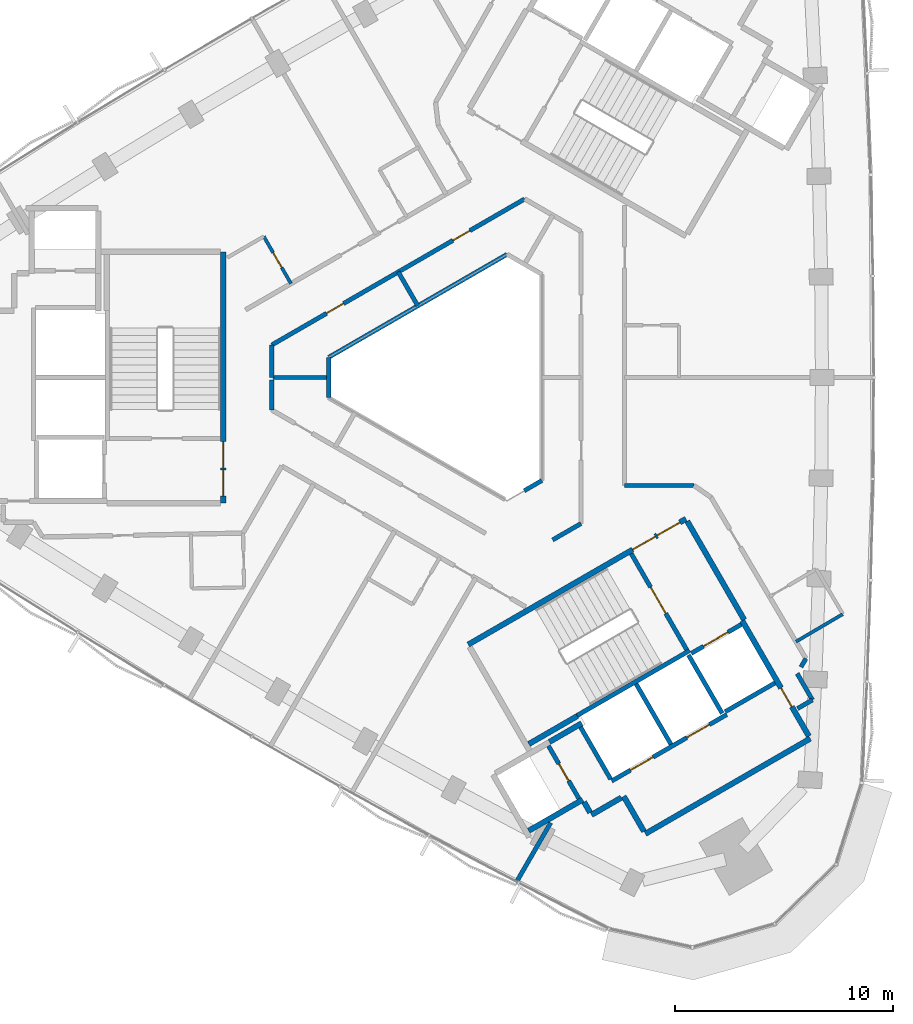
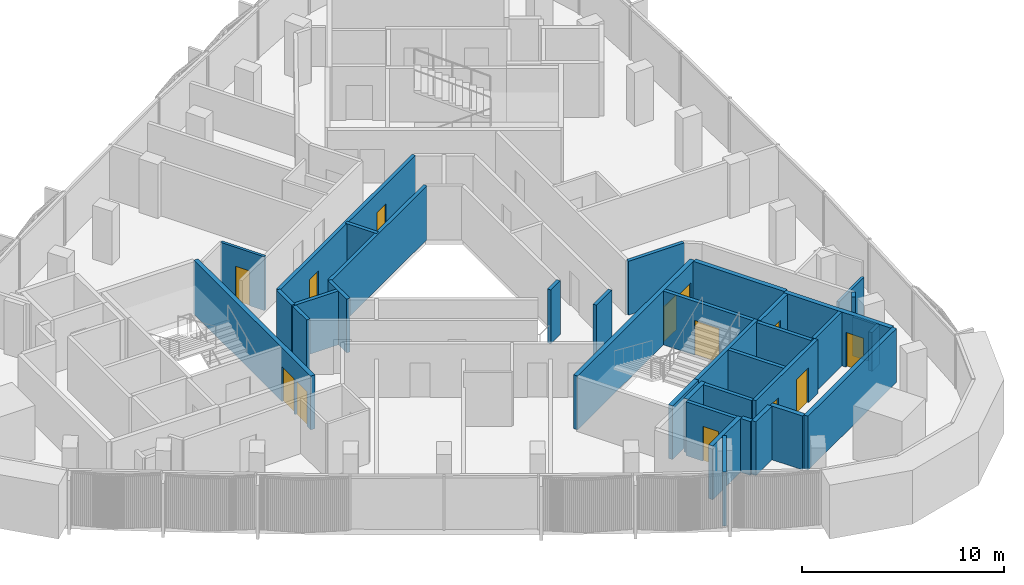
# One storey, part 9 of 16: 36 walls, 13 doors, 13 openings.
"""IFC4 building model written with IfcOpenShell, lengths in metres."""

import ifcopenshell
import ifcopenshell.guid

model = None  # the IFC model being written
_history = None  # IfcOwnerHistory: only IFC2X3 demands one
_inside = {}  # id of a spatial element -> (the spatial element, [elements in it])
_under = {}  # id of a project, library or spatial element -> (it, [spatial elements below it])
_declared = {}  # id of a project -> (the project, [libraries it declares])
_typed = {}  # id of a type object -> (the type object, [elements of that type])
_made_of = {}  # id of a material, layer set ... -> (it, [elements and type objects made of it])


def new_model(schema):
    """Start an empty IFC model of exactly this schema.

    Asked for "IFC4X3", IfcOpenShell would pick the latest addendum, in which some entities
    have other attributes; the version numbers below select the first issue.
    IFC2X3 requires an IfcOwnerHistory on every rooted entity: one is made here for all.
    """
    global model, _history
    if schema == "IFC4X3":
        model = ifcopenshell.file(schema_version=(4, 3, 0, 0))
    else:
        model = ifcopenshell.file(schema=schema)
    _inside.clear()
    _under.clear()
    _declared.clear()
    _typed.clear()
    _made_of.clear()
    _history = None
    if model.schema == "IFC2X3":
        org = make("IfcOrganization", Name="unknown")
        user = make(
            "IfcPersonAndOrganization",
            ThePerson=make("IfcPerson", FamilyName="unknown"),
            TheOrganization=org,
        )
        app = make(
            "IfcApplication",
            ApplicationDeveloper=org,
            Version="unknown",
            ApplicationFullName="unknown",
            ApplicationIdentifier="unknown",
        )
        _history = make(
            "IfcOwnerHistory",
            OwningUser=user,
            OwningApplication=app,
            ChangeAction="ADDED",
            CreationDate=0,
        )
    return model


def make(cls, **values):
    """One entity of the class cls with the attributes given. An attribute that is None is left unset."""
    return model.create_entity(
        cls, **{name: value for name, value in values.items() if value is not None}
    )


def rooted(cls, **values):
    """An entity with a GlobalId (a new one), such as an element, a storey or a relation."""
    return make(cls, GlobalId=ifcopenshell.guid.new(), OwnerHistory=_history, **values)


def si_unit(unit_type, name, prefix=None):
    """IfcSIUnit, for example si_unit("LENGTHUNIT", "METRE", prefix="MILLI")."""
    return make("IfcSIUnit", UnitType=unit_type, Prefix=prefix, Name=name)


def assignment(units):
    """IfcUnitAssignment: the units of a project."""
    return None if units is None else make("IfcUnitAssignment", Units=units)


def point(xyz):
    """IfcCartesianPoint."""
    return None if xyz is None else make("IfcCartesianPoint", Coordinates=xyz)


def direction(xyz):
    """IfcDirection."""
    return None if xyz is None else make("IfcDirection", DirectionRatios=xyz)


def frame(location, z_axis=None, x_axis=None):
    """IfcAxis2Placement3D, a coordinate frame: its origin and axes. An axis left out is left unset."""
    return make(
        "IfcAxis2Placement3D",
        Location=point(location),
        Axis=direction(z_axis),
        RefDirection=direction(x_axis),
    )


def frame_2d(location, x_axis=None):
    """IfcAxis2Placement2D, a coordinate frame in the plane: its origin and x axis."""
    return make(
        "IfcAxis2Placement2D", Location=point(location), RefDirection=direction(x_axis)
    )


def origin():
    """The frame at (0, 0, 0) with its axes left unset."""
    return frame((0.0, 0.0, 0.0))


def place(relative_to, where):
    """IfcLocalPlacement: puts the frame where relative to a parent placement (None: the world)."""
    return make(
        "IfcLocalPlacement", PlacementRelTo=relative_to, RelativePlacement=where
    )


def context(
    kind, dimensions, precision=None, world=None, true_north=None, identifier=None
):
    """IfcGeometricRepresentationContext, for example the 3D "Model" context."""
    return make(
        "IfcGeometricRepresentationContext",
        ContextIdentifier=identifier,
        ContextType=kind,
        CoordinateSpaceDimension=dimensions,
        Precision=precision,
        WorldCoordinateSystem=world,
        TrueNorth=true_north,
    )


def subcontext(parent, identifier, kind, view, scale=None):
    """IfcGeometricRepresentationSubContext, for example "Body" below "Model"."""
    return make(
        "IfcGeometricRepresentationSubContext",
        ContextIdentifier=identifier,
        ContextType=kind,
        ParentContext=parent,
        TargetScale=scale,
        TargetView=view,
    )


def project(units=None, contexts=None):
    """IfcProject with its units and contexts."""
    return rooted(
        "IfcProject",
        Name="project",
        RepresentationContexts=contexts,
        UnitsInContext=assignment(units),
    )


def spatial(cls, under=None, at=None, **own):
    """A site, building, storey or space (cls), placed at a placement, below another one or the project."""
    s = rooted(cls, ObjectPlacement=at, **own)
    if under is not None:
        _under.setdefault(under.id(), (under, []))[1].append(s)
    return s


def profile(cls, at=None, kind="AREA", **sizes):
    """A parametric profile (cls). Its sizes go by their IFC names, for example OverallWidth=200.0."""
    return make(cls, ProfileType=kind, Position=at, **sizes)


def rectangle(**sizes):
    """IfcRectangleProfileDef."""
    return profile("IfcRectangleProfileDef", **sizes)


def extrude(swept, where, along, depth):
    """IfcExtrudedAreaSolid: the profile swept, set in the frame where, extruded along a direction by depth."""
    return make(
        "IfcExtrudedAreaSolid",
        SweptArea=swept,
        Position=where,
        ExtrudedDirection=direction(along),
        Depth=depth,
    )


def shape(context_of_items, identifier, shape_type, items):
    """IfcShapeRepresentation: the items that make up one representation, for example the "Body"."""
    return make(
        "IfcShapeRepresentation",
        ContextOfItems=context_of_items,
        RepresentationIdentifier=identifier,
        RepresentationType=shape_type,
        Items=items,
    )


def material(Name=None, Category=None):
    """IfcMaterial."""
    return make("IfcMaterial", Name=Name, Category=Category)


def layer(
    of_material, thickness, ventilated=None, Name=None, Category=None, Priority=None
):
    """IfcMaterialLayer: one layer of a wall or slab, of a material (None: an air gap)."""
    return make(
        "IfcMaterialLayer",
        Material=of_material,
        LayerThickness=thickness,
        IsVentilated=ventilated,
        Name=Name,
        Category=Category,
        Priority=Priority,
    )


def layer_set(layers, Name=None):
    """IfcMaterialLayerSet."""
    return make("IfcMaterialLayerSet", MaterialLayers=layers, LayerSetName=Name)


def made_of(thing, what):
    """Note that an element or type object is made of a material, layer set ...; save() writes the relation."""
    if what is not None:
        _made_of.setdefault(what.id(), (what, []))[1].append(thing)
    return thing


def type_object(cls, material=None, **own):
    """A type object (cls), such as IfcWallType, which elements share."""
    return made_of(rooted(cls, **own), material)


def element(
    cls,
    number,
    at=None,
    inside=None,
    cuts=None,
    type_object=None,
    material=None,
    context=None,
    identifier="Body",
    shape_type=None,
    held_by="IfcProductDefinitionShape",
    body=None,
    shapes=None,
    **own,
):
    """One element of the class cls, such as IfcWall. Its Tag is "e" and its number.

    at: its placement. inside: the storey or other place that contains it. cuts: it is an
    opening in that element (IfcRelVoidsElement). A single representation is given by context,
    identifier, shape_type and body (its items); several are given by shapes. held_by: the class
    of the entity that holds the representations. save() writes the other relations.
    """
    e = rooted(cls, Tag="e%d" % number, ObjectPlacement=at, **own)
    if body is not None:
        shapes = [shape(context, identifier, shape_type, body)]
    if shapes is not None:
        e.Representation = make(held_by, Representations=shapes)
    if inside is not None:
        _inside.setdefault(inside.id(), (inside, []))[1].append(e)
    if cuts is not None:
        rooted(
            "IfcRelVoidsElement", RelatingBuildingElement=cuts, RelatedOpeningElement=e
        )
    if type_object is not None:
        _typed.setdefault(type_object.id(), (type_object, []))[1].append(e)
    return made_of(e, material)


def fill(opening, filler):
    """IfcRelFillsElement: the door or window that sits in an opening."""
    return rooted(
        "IfcRelFillsElement",
        RelatingOpeningElement=opening,
        RelatedBuildingElement=filler,
    )


def aggregate(whole, parts):
    """IfcRelAggregates: a whole, such as a stair, and the parts it consists of."""
    return rooted("IfcRelAggregates", RelatingObject=whole, RelatedObjects=parts)


def save(model, path):
    """Write the relations noted so far, then the file.

    IfcRelAggregates (storeys below a building ...), IfcRelContainedInSpatialStructure (elements
    in a storey), IfcRelDefinesByType, IfcRelAssociatesMaterial and IfcRelDeclares: one each for
    every whole, place, type object, material and project.
    """
    for whole, parts in _under.values():
        aggregate(whole, parts)
    for where, things in _inside.values():
        rooted(
            "IfcRelContainedInSpatialStructure",
            RelatedElements=things,
            RelatingStructure=where,
        )
    for kind, things in _typed.values():
        rooted("IfcRelDefinesByType", RelatedObjects=things, RelatingType=kind)
    for what, things in _made_of.values():
        rooted("IfcRelAssociatesMaterial", RelatedObjects=things, RelatingMaterial=what)
    for by, libraries in _declared.values():
        rooted("IfcRelDeclares", RelatingContext=by, RelatedDefinitions=libraries)
    model.write(path)


model = new_model("IFC4")

# Units and contexts
model_context = context("Model", 3, precision=1e-05, world=origin(), true_north=direction((0.0, 1.0)))
body_context = subcontext(model_context, "Body", "Model", "MODEL_VIEW")
ifc_project = project(units=[si_unit("LENGTHUNIT", "METRE"), si_unit("AREAUNIT", "SQUARE_METRE"), si_unit("VOLUMEUNIT", "CUBIC_METRE"), si_unit("PLANEANGLEUNIT", "RADIAN"), si_unit("MASSUNIT", "GRAM", prefix="KILO")], contexts=[model_context])

# Site, building, storey
site_placement = place(None, origin())
site = spatial("IfcSite", under=ifc_project, at=site_placement, CompositionType="ELEMENT")
building_placement = place(site_placement, origin())
building = spatial("IfcBuilding", under=site, at=building_placement, Name="Tamra Quay Hotel Tower", CompositionType="ELEMENT")
storey_placement = place(building_placement, frame((0.0, 0.0, 239.39990234375)))
storey = spatial("IfcBuildingStorey", under=building, at=storey_placement, Name="L60", CompositionType="ELEMENT", Elevation=239.39990234375)

# Wall
ifc_material_1 = material(Name="Concrete M70", Category="concrete")
ifc_layer_1 = layer(ifc_material_1, 0.199951171875)
ifc_layer_set_1 = layer_set([ifc_layer_1], Name="Concrete M70 core wall 200")
wall_type_1 = type_object("IfcWallType", Name="Concrete M70 core wall 200", PredefinedType="SHEAR", material=ifc_layer_set_1)
wall_1_placement = place(storey_placement, frame((5.4189453125, -15.533935546875, 0.0), z_axis=(0.0, 0.0, 1.0), x_axis=(0.866029065029, 0.499993658486, 0.0)))
element("IfcWall", 1, at=wall_1_placement, inside=storey, type_object=wall_type_1, Name="CW2", PredefinedType="SHEAR", context=body_context, shape_type="SweptSolid", body=[
    extrude(rectangle(XDim=5.97412109375, YDim=0.199951171875, at=frame_2d((2.987060546875, 0.0))), origin(), (0.0, 0.0, 1.0), 3.25),
])

# Wall, openings, doors
wall_2_placement = place(storey_placement, frame((7.009765625, -18.54150390625, 0.0), z_axis=(0.0, 0.0, 1.0), x_axis=(0.866030299012, 0.499991521122, 0.0)))
wall_2 = element("IfcWall", 2, at=wall_2_placement, inside=storey, type_object=wall_type_1, Name="CW2", PredefinedType="SHEAR", context=body_context, shape_type="SweptSolid", body=[
    extrude(rectangle(XDim=6.10009765625, YDim=0.199951171875, at=frame_2d((3.050048828125, 0.0))), origin(), (0.0, 0.0, 1.0), 3.25),
])
opening_1_placement = place(wall_2_placement, frame((1.0, 0.0, 0.0)))
opening_1 = element("IfcOpeningElement", 3, at=opening_1_placement, cuts=wall_2, Name="Opening LD", PredefinedType="OPENING", context=body_context, shape_type="SweptSolid", body=[
    extrude(rectangle(XDim=1.199951171875, YDim=2.10009765625, at=frame_2d((0.60009765625, 1.050048828125))), frame((0.0, 0.10986328125, 0.0), z_axis=(0.0, -1.0, 0.0), x_axis=(1.0, 0.0, 0.0)), (0.0, 0.0, 1.0), 0.219970703125),
])
opening_2_placement = place(wall_2_placement, frame((3.982177734375, 0.0, 0.0)))
opening_2 = element("IfcOpeningElement", 4, at=opening_2_placement, cuts=wall_2, Name="Opening LD", PredefinedType="OPENING", context=body_context, shape_type="SweptSolid", body=[
    extrude(rectangle(XDim=1.199951171875, YDim=2.10009765625, at=frame_2d((0.60009765625, 1.050048828125))), frame((0.0, 0.10986328125, 0.0), z_axis=(0.0, -1.0, 0.0), x_axis=(1.0, 0.0, 0.0)), (0.0, 0.0, 1.0), 0.219970703125),
])
ifc_material_2 = material(Name="Landing door LD 1200 double door sliding")
door_type_1 = type_object("IfcDoorType", Name="Landing door LD 1200 double door sliding", OperationType="DOUBLE_DOOR_SLIDING", PredefinedType="DOOR", material=ifc_material_2)
door_1_placement = place(opening_1_placement, origin())
door_1 = element("IfcDoor", 5, at=door_1_placement, inside=storey, type_object=door_type_1, Name="LD", OperationType="DOUBLE_DOOR_SLIDING", OverallHeight=2.10009765625, OverallWidth=1.199951171875, PredefinedType="DOOR", context=body_context, shape_type="SweptSolid", body=[
    extrude(rectangle(XDim=1.199951171875, YDim=2.10009765625, at=frame_2d((0.60009765625, 1.050048828125))), frame((0.0, 0.02490234375, 0.0), z_axis=(0.0, -1.0, 0.0), x_axis=(1.0, 0.0, 0.0)), (0.0, 0.0, 1.0), 0.050048828125),
])
fill(opening_1, door_1)
door_2_placement = place(opening_2_placement, origin())
door_2 = element("IfcDoor", 6, at=door_2_placement, inside=storey, type_object=door_type_1, Name="LD", OperationType="DOUBLE_DOOR_SLIDING", OverallHeight=2.10009765625, OverallWidth=1.199951171875, PredefinedType="DOOR", context=body_context, shape_type="SweptSolid", body=[
    extrude(rectangle(XDim=1.199951171875, YDim=2.10009765625, at=frame_2d((0.60009765625, 1.050048828125))), frame((0.0, 0.02490234375, 0.0), z_axis=(0.0, -1.0, 0.0), x_axis=(1.0, 0.0, 0.0)), (0.0, 0.0, 1.0), 0.050048828125),
])
fill(opening_2, door_2)

# Wall, opening, door
wall_3_placement = place(storey_placement, frame((7.906494140625, -8.094482421875, 0.0), z_axis=(0.0, 0.0, 1.0), x_axis=(0.500027839223, -0.866009330205, 0.0)))
wall_3 = element("IfcWall", 7, at=wall_3_placement, inside=storey, type_object=wall_type_1, Name="CW2", PredefinedType="SHEAR", context=body_context, shape_type="SweptSolid", body=[
    extrude(rectangle(XDim=5.097900390625, YDim=0.199951171875, at=frame_2d((2.548828125, 0.0))), origin(), (0.0, 0.0, 1.0), 3.25),
])
opening_3_placement = place(wall_3_placement, frame((1.77392578125, 0.0, 0.0)))
opening_3 = element("IfcOpeningElement", 8, at=opening_3_placement, cuts=wall_3, Name="Opening FD2", PredefinedType="OPENING", context=body_context, shape_type="SweptSolid", body=[
    extrude(rectangle(XDim=1.39990234375, YDim=2.10009765625, at=frame_2d((0.699951171875, 1.050048828125))), frame((0.0, 0.10986328125, 0.0), z_axis=(0.0, -1.0, 0.0), x_axis=(1.0, 0.0, 0.0)), (0.0, 0.0, 1.0), 0.219970703125),
])
ifc_material_3 = material(Name="Core door FD2 1400x2100 RH")
door_type_2 = type_object("IfcDoorType", Name="Core door FD2 1400x2100 RH", OperationType="NOTDEFINED", PredefinedType="DOOR", material=ifc_material_3)
door_3_placement = place(opening_3_placement, origin())
door_3 = element("IfcDoor", 9, at=door_3_placement, inside=storey, type_object=door_type_2, Name="FD2", OperationType="SINGLE_SWING_RIGHT", OverallHeight=2.10009765625, OverallWidth=1.39990234375, PredefinedType="DOOR", context=body_context, shape_type="SweptSolid", body=[
    extrude(rectangle(XDim=1.39990234375, YDim=2.10009765625, at=frame_2d((0.699951171875, 1.050048828125))), frame((0.0, 0.02490234375, 0.0), z_axis=(0.0, -1.0, 0.0), x_axis=(1.0, 0.0, 0.0)), (0.0, 0.0, 1.0), 0.050048828125),
])
fill(opening_3, door_3)

# Wall
wall_4_placement = place(storey_placement, frame((8.131591796875, -14.084228515625, 0.0), z_axis=(0.0, 0.0, 1.0), x_axis=(0.499997778408, -0.866026686418, 0.0)))
element("IfcWall", 10, at=wall_4_placement, inside=storey, type_object=wall_type_1, Name="CW2", PredefinedType="SHEAR", context=body_context, shape_type="SweptSolid", body=[
    extrude(rectangle(XDim=3.1982421875, YDim=0.199951171875, at=frame_2d((1.59912109375, 0.0))), origin(), (0.0, 0.0, 1.0), 3.25),
])

# Wall, opening, door
wall_5_placement = place(storey_placement, frame((5.50341796875, -19.352294921875, 0.0), z_axis=(0.0, 0.0, 1.0), x_axis=(-0.499986818241, 0.866033014143, 0.0)))
wall_5 = element("IfcWall", 11, at=wall_5_placement, inside=storey, type_object=wall_type_1, Name="CW2", PredefinedType="SHEAR", context=body_context, shape_type="SweptSolid", body=[
    extrude(rectangle(XDim=2.7978515625, YDim=0.199951171875, at=frame_2d((1.39892578125, 0.0))), origin(), (0.0, 0.0, 1.0), 3.25),
])
opening_4_placement = place(wall_5_placement, frame((0.948974609375, 0.0, 0.0)))
opening_4 = element("IfcOpeningElement", 12, at=opening_4_placement, cuts=wall_5, Name="Opening D1", PredefinedType="OPENING", context=body_context, shape_type="SweptSolid", body=[
    extrude(rectangle(XDim=0.89990234375, YDim=2.10009765625, at=frame_2d((0.449951171875, 1.050048828125))), frame((0.0, 0.10986328125, 0.0), z_axis=(0.0, -1.0, 0.0), x_axis=(1.0, 0.0, 0.0)), (0.0, 0.0, 1.0), 0.219970703125),
])
ifc_material_4 = material(Name="Core door D1 900x2100 LH")
door_type_3 = type_object("IfcDoorType", Name="Core door D1 900x2100 LH", OperationType="NOTDEFINED", PredefinedType="DOOR", material=ifc_material_4)
door_4_placement = place(opening_4_placement, origin())
door_4 = element("IfcDoor", 13, at=door_4_placement, inside=storey, type_object=door_type_3, Name="D1", OperationType="SINGLE_SWING_LEFT", OverallHeight=2.10009765625, OverallWidth=0.89990234375, PredefinedType="DOOR", context=body_context, shape_type="SweptSolid", body=[
    extrude(rectangle(XDim=0.89990234375, YDim=2.10009765625, at=frame_2d((0.449951171875, 1.050048828125))), frame((0.0, 0.02490234375, 0.0), z_axis=(0.0, -1.0, 0.0), x_axis=(1.0, 0.0, 0.0)), (0.0, 0.0, 1.0), 0.050048828125),
])
fill(opening_4, door_4)

# Walls
wall_6_placement = place(storey_placement, frame((6.959716796875, -18.455078125, 0.0), z_axis=(0.0, 0.0, 1.0), x_axis=(-0.499926705758, 0.866067716099, 0.0)))
element("IfcWall", 14, at=wall_6_placement, inside=storey, type_object=wall_type_1, Name="CW2", PredefinedType="SHEAR", context=body_context, shape_type="SweptSolid", body=[
    extrude(rectangle(XDim=2.75927734375, YDim=0.199951171875, at=frame_2d((1.379638671875, 0.0))), origin(), (0.0, 0.0, 1.0), 3.25),
])
wall_7_placement = place(storey_placement, frame((12.087646484375, -15.4365234375, 0.0), z_axis=(0.0, 0.0, 1.0), x_axis=(-0.500026960575, 0.86600983753, 0.0)))
element("IfcWall", 15, at=wall_7_placement, inside=storey, type_object=wall_type_1, Name="CW2", PredefinedType="SHEAR", context=body_context, shape_type="SweptSolid", body=[
    extrude(rectangle(XDim=3.099853515625, YDim=0.199951171875, at=frame_2d((1.5498046875, 0.0))), origin(), (0.0, 0.0, 1.0), 3.25),
])

# Wall, opening, door
wall_8_placement = place(storey_placement, frame((10.666015625, -12.677734375, 0.0), z_axis=(0.0, 0.0, 1.0), x_axis=(0.866018407898, 0.500012117035, 0.0)))
wall_8 = element("IfcWall", 16, at=wall_8_placement, inside=storey, type_object=wall_type_1, Name="CW2", PredefinedType="SHEAR", context=body_context, shape_type="SweptSolid", body=[
    extrude(rectangle(XDim=2.65087890625, YDim=0.199951171875, at=frame_2d((1.325439453125, 0.0))), origin(), (0.0, 0.0, 1.0), 3.25),
])
opening_5_placement = place(wall_8_placement, frame((0.65185546875, 0.0, 0.0)))
opening_5 = element("IfcOpeningElement", 17, at=opening_5_placement, cuts=wall_8, Name="Opening LD", PredefinedType="OPENING", context=body_context, shape_type="SweptSolid", body=[
    extrude(rectangle(XDim=1.300048828125, YDim=2.10009765625, at=frame_2d((0.64990234375, 1.050048828125))), frame((0.0, 0.10986328125, 0.0), z_axis=(0.0, -1.0, 0.0), x_axis=(1.0, 0.0, 0.0)), (0.0, 0.0, 1.0), 0.219970703125),
])
ifc_material_5 = material(Name="Landing door LD 1300 sliding to right")
door_type_4 = type_object("IfcDoorType", Name="Landing door LD 1300 sliding to right", OperationType="NOTDEFINED", PredefinedType="DOOR", material=ifc_material_5)
door_5_placement = place(opening_5_placement, origin())
door_5 = element("IfcDoor", 18, at=door_5_placement, inside=storey, type_object=door_type_4, Name="LD", OperationType="SLIDING_TO_RIGHT", OverallHeight=2.10009765625, OverallWidth=1.300048828125, PredefinedType="DOOR", context=body_context, shape_type="SweptSolid", body=[
    extrude(rectangle(XDim=1.300048828125, YDim=2.10009765625, at=frame_2d((0.64990234375, 1.050048828125))), frame((0.0, 0.02490234375, 0.0), z_axis=(0.0, -1.0, 0.0), x_axis=(1.0, 0.0, 0.0)), (0.0, 0.0, 1.0), 0.050048828125),
])
fill(opening_5, door_5)

# Wall
wall_9_placement = place(storey_placement, frame((14.51171875, -14.037109375, 0.0), z_axis=(0.0, 0.0, 1.0), x_axis=(-0.866018407898, -0.500012117035, 0.0)))
element("IfcWall", 19, at=wall_9_placement, inside=storey, type_object=wall_type_1, Name="CW2", PredefinedType="SHEAR", context=body_context, shape_type="SweptSolid", body=[
    extrude(rectangle(XDim=2.65087890625, YDim=0.199951171875, at=frame_2d((1.325439453125, 0.0))), origin(), (0.0, 0.0, 1.0), 3.25),
])

# Wall, openings, doors
ifc_layer_2 = layer(ifc_material_1, 0.25)
ifc_layer_set_2 = layer_set([ifc_layer_2], Name="Concrete M70 core wall 250")
wall_type_2 = type_object("IfcWallType", Name="Concrete M70 core wall 250", PredefinedType="SHEAR", material=ifc_layer_set_2)
wall_10_placement = place(storey_placement, frame((-10.83740234375, 5.77490234375, 0.0), z_axis=(0.0, 0.0, 1.0), x_axis=(0.0, -1.0, 0.0)))
wall_10 = element("IfcWall", 20, at=wall_10_placement, inside=storey, type_object=wall_type_2, Name="CW1", PredefinedType="SHEAR", context=body_context, shape_type="SweptSolid", body=[
    extrude(rectangle(XDim=11.5498046875, YDim=0.25, at=frame_2d((5.77490234375, 0.0))), origin(), (0.0, 0.0, 1.0), 3.25),
])
opening_6_placement = place(wall_10_placement, frame((10.02490234375, 0.0, 0.0)))
opening_6 = element("IfcOpeningElement", 21, at=opening_6_placement, cuts=wall_10, Name="Opening FD1", PredefinedType="OPENING", context=body_context, shape_type="SweptSolid", body=[
    extrude(rectangle(XDim=1.199951171875, YDim=2.10009765625, at=frame_2d((0.60009765625, 1.050048828125))), frame((0.0, 0.135009765625, 0.0), z_axis=(0.0, -1.0, 0.0), x_axis=(1.0, 0.0, 0.0)), (0.0, 0.0, 1.0), 0.27001953125),
])
opening_7_placement = place(wall_10_placement, frame((8.72509765625, 0.0, 0.0)))
opening_7 = element("IfcOpeningElement", 22, at=opening_7_placement, cuts=wall_10, Name="Opening FD1", PredefinedType="OPENING", context=body_context, shape_type="SweptSolid", body=[
    extrude(rectangle(XDim=1.199951171875, YDim=2.10009765625, at=frame_2d((0.60009765625, 1.050048828125))), frame((0.0, 0.135009765625, 0.0), z_axis=(0.0, -1.0, 0.0), x_axis=(1.0, 0.0, 0.0)), (0.0, 0.0, 1.0), 0.27001953125),
])
ifc_material_6 = material(Name="Core door FD1 1200x2100 LH")
door_type_5 = type_object("IfcDoorType", Name="Core door FD1 1200x2100 LH", OperationType="NOTDEFINED", PredefinedType="DOOR", material=ifc_material_6)
door_6_placement = place(opening_6_placement, origin())
door_6 = element("IfcDoor", 23, at=door_6_placement, inside=storey, type_object=door_type_5, Name="FD1", OperationType="SINGLE_SWING_LEFT", OverallHeight=2.10009765625, OverallWidth=1.199951171875, PredefinedType="DOOR", context=body_context, shape_type="SweptSolid", body=[
    extrude(rectangle(XDim=1.199951171875, YDim=2.10009765625, at=frame_2d((0.60009765625, 1.050048828125))), frame((0.0, 0.02490234375, 0.0), z_axis=(0.0, -1.0, 0.0), x_axis=(1.0, 0.0, 0.0)), (0.0, 0.0, 1.0), 0.050048828125),
])
fill(opening_6, door_6)
ifc_material_7 = material(Name="Core door FD1 1200x2100 RH")
door_type_6 = type_object("IfcDoorType", Name="Core door FD1 1200x2100 RH", OperationType="NOTDEFINED", PredefinedType="DOOR", material=ifc_material_7)
door_7_placement = place(opening_7_placement, origin())
door_7 = element("IfcDoor", 24, at=door_7_placement, inside=storey, type_object=door_type_6, Name="FD1", OperationType="SINGLE_SWING_RIGHT", OverallHeight=2.10009765625, OverallWidth=1.199951171875, PredefinedType="DOOR", context=body_context, shape_type="SweptSolid", body=[
    extrude(rectangle(XDim=1.199951171875, YDim=2.10009765625, at=frame_2d((0.60009765625, 1.050048828125))), frame((0.0, 0.02490234375, 0.0), z_axis=(0.0, -1.0, 0.0), x_axis=(1.0, 0.0, 0.0)), (0.0, 0.0, 1.0), 0.050048828125),
])
fill(opening_7, door_7)

wall_11_placement = place(storey_placement, frame((0.417236328125, -12.27294921875, 0.0), z_axis=(0.0, 0.0, 1.0), x_axis=(0.866021906294, 0.500006057782, 0.0)))
wall_11 = element("IfcWall", 25, at=wall_11_placement, inside=storey, type_object=wall_type_2, Name="CW1", PredefinedType="SHEAR", context=body_context, shape_type="SweptSolid", body=[
    extrude(rectangle(XDim=11.550048828125, YDim=0.25, at=frame_2d((5.77490234375, 0.0))), origin(), (0.0, 0.0, 1.0), 3.25),
])
opening_8_placement = place(wall_11_placement, frame((10.024658203125, 0.0, 0.0)))
opening_8 = element("IfcOpeningElement", 26, at=opening_8_placement, cuts=wall_11, Name="Opening FD1", PredefinedType="OPENING", context=body_context, shape_type="SweptSolid", body=[
    extrude(rectangle(XDim=1.199951171875, YDim=2.10009765625, at=frame_2d((0.60009765625, 1.050048828125))), frame((0.0, 0.135009765625, 0.0), z_axis=(0.0, -1.0, 0.0), x_axis=(1.0, 0.0, 0.0)), (0.0, 0.0, 1.0), 0.27001953125),
])
opening_9_placement = place(wall_11_placement, frame((8.724609375, 0.0, 0.0)))
opening_9 = element("IfcOpeningElement", 27, at=opening_9_placement, cuts=wall_11, Name="Opening FD1", PredefinedType="OPENING", context=body_context, shape_type="SweptSolid", body=[
    extrude(rectangle(XDim=1.199951171875, YDim=2.10009765625, at=frame_2d((0.60009765625, 1.050048828125))), frame((0.0, 0.135009765625, 0.0), z_axis=(0.0, -1.0, 0.0), x_axis=(1.0, 0.0, 0.0)), (0.0, 0.0, 1.0), 0.27001953125),
])
door_8_placement = place(opening_8_placement, origin())
door_8 = element("IfcDoor", 28, at=door_8_placement, inside=storey, type_object=door_type_5, Name="FD1", OperationType="SINGLE_SWING_LEFT", OverallHeight=2.10009765625, OverallWidth=1.199951171875, PredefinedType="DOOR", context=body_context, shape_type="SweptSolid", body=[
    extrude(rectangle(XDim=1.199951171875, YDim=2.10009765625, at=frame_2d((0.60009765625, 1.050048828125))), frame((0.0, 0.02490234375, 0.0), z_axis=(0.0, -1.0, 0.0), x_axis=(1.0, 0.0, 0.0)), (0.0, 0.0, 1.0), 0.050048828125),
])
fill(opening_8, door_8)
door_9_placement = place(opening_9_placement, origin())
door_9 = element("IfcDoor", 29, at=door_9_placement, inside=storey, type_object=door_type_6, Name="FD1", OperationType="SINGLE_SWING_RIGHT", OverallHeight=2.10009765625, OverallWidth=1.199951171875, PredefinedType="DOOR", context=body_context, shape_type="SweptSolid", body=[
    extrude(rectangle(XDim=1.199951171875, YDim=2.10009765625, at=frame_2d((0.60009765625, 1.050048828125))), frame((0.0, 0.02490234375, 0.0), z_axis=(0.0, -1.0, 0.0), x_axis=(1.0, 0.0, 0.0)), (0.0, 0.0, 1.0), 0.050048828125),
])
fill(opening_9, door_9)

# Wall
wall_12_placement = place(storey_placement, frame((16.13330078125, -16.59375, 0.0), z_axis=(0.0, 0.0, 1.0), x_axis=(-0.866022959057, -0.500004234368, 0.0)))
element("IfcWall", 30, at=wall_12_placement, inside=storey, type_object=wall_type_2, Name="CW1", PredefinedType="SHEAR", context=body_context, shape_type="SweptSolid", body=[
    extrude(rectangle(XDim=8.75, YDim=0.25, at=frame_2d((4.375, 0.0))), origin(), (0.0, 0.0, 1.0), 3.25),
])

# Wall, opening, door
wall_13_placement = place(storey_placement, frame((13.00830078125, -11.18115234375, 0.0), z_axis=(0.0, 0.0, 1.0), x_axis=(0.500001955336, -0.866024274868, 0.0)))
wall_13 = element("IfcWall", 31, at=wall_13_placement, inside=storey, type_object=wall_type_2, Name="CW1", PredefinedType="SHEAR", context=body_context, shape_type="SweptSolid", body=[
    extrude(rectangle(XDim=6.12451171875, YDim=0.25, at=frame_2d((3.062255859375, 0.0))), origin(), (0.0, 0.0, 1.0), 3.25),
])
opening_10_placement = place(wall_13_placement, frame((3.562744140625, 0.0, 0.0)))
opening_10 = element("IfcOpeningElement", 32, at=opening_10_placement, cuts=wall_13, Name="Opening FD3", PredefinedType="OPENING", context=body_context, shape_type="SweptSolid", body=[
    extrude(rectangle(XDim=1.0, YDim=2.10009765625, at=frame_2d((0.5, 1.050048828125))), frame((0.0, 0.135009765625, 0.0), z_axis=(0.0, -1.0, 0.0), x_axis=(1.0, 0.0, 0.0)), (0.0, 0.0, 1.0), 0.27001953125),
])
ifc_material_8 = material(Name="Core door FD3 1000x2100 LH")
door_type_7 = type_object("IfcDoorType", Name="Core door FD3 1000x2100 LH", OperationType="NOTDEFINED", PredefinedType="DOOR", material=ifc_material_8)
door_10_placement = place(opening_10_placement, origin())
door_10 = element("IfcDoor", 33, at=door_10_placement, inside=storey, type_object=door_type_7, Name="FD3", OperationType="SINGLE_SWING_LEFT", OverallHeight=2.10009765625, OverallWidth=1.0, PredefinedType="DOOR", context=body_context, shape_type="SweptSolid", body=[
    extrude(rectangle(XDim=1.0, YDim=2.10009765625, at=frame_2d((0.5, 1.050048828125))), frame((0.0, 0.02490234375, 0.0), z_axis=(0.0, -1.0, 0.0), x_axis=(1.0, 0.0, 0.0)), (0.0, 0.0, 1.0), 0.050048828125),
])
fill(opening_10, door_10)

# Walls
wall_14_placement = place(storey_placement, frame((10.482666015625, -6.6064453125, 0.0), z_axis=(0.0, 0.0, 1.0), x_axis=(0.49999885962, -0.866026062182, 0.0)))
element("IfcWall", 34, at=wall_14_placement, inside=storey, type_object=wall_type_2, Name="CW1", PredefinedType="SHEAR", context=body_context, shape_type="SweptSolid", body=[
    extrude(rectangle(XDim=5.224609375, YDim=0.25, at=frame_2d((2.6123046875, 0.0))), origin(), (0.0, 0.0, 1.0), 3.25),
])
wall_15_placement = place(storey_placement, frame((5.6748046875, -19.39892578125, 0.0), z_axis=(0.0, 0.0, 1.0), x_axis=(-0.866026637627, -0.499997862916, 0.0)))
element("IfcWall", 35, at=wall_15_placement, inside=storey, type_object=wall_type_2, Name="CW1", PredefinedType="SHEAR", context=body_context, shape_type="SweptSolid", body=[
    extrude(rectangle(XDim=2.86474609375, YDim=0.25, at=frame_2d((1.432373046875, 0.0))), origin(), (0.0, 0.0, 1.0), 3.25),
])
wall_16_placement = place(storey_placement, frame((5.4306640625, -15.55615234375, 0.0), z_axis=(0.0, 0.0, 1.0), x_axis=(-0.866022940537, -0.500004266446, 0.0)))
element("IfcWall", 36, at=wall_16_placement, inside=storey, type_object=wall_type_2, Name="CW1", PredefinedType="SHEAR", context=body_context, shape_type="SweptSolid", body=[
    extrude(rectangle(XDim=2.57470703125, YDim=0.25, at=frame_2d((1.287353515625, 0.0))), origin(), (0.0, 0.0, 1.0), 3.25),
])
wall_17_placement = place(storey_placement, frame((8.492919921875, -20.860107421875, 0.0), z_axis=(0.0, 0.0, 1.0), x_axis=(-0.500039802285, 0.866002422705, 0.0)))
element("IfcWall", 37, at=wall_17_placement, inside=storey, type_object=wall_type_2, Name="CW1", PredefinedType="SHEAR", context=body_context, shape_type="SweptSolid", body=[
    extrude(rectangle(XDim=1.864501953125, YDim=0.25, at=frame_2d((0.93212890625, 0.0))), origin(), (0.0, 0.0, 1.0), 3.25),
])
wall_18_placement = place(storey_placement, frame((4.144775390625, -16.748779296875, 0.0), z_axis=(0.0, 0.0, 1.0), x_axis=(0.866038183914, 0.499977863513, 0.0)))
element("IfcWall", 38, at=wall_18_placement, inside=storey, type_object=wall_type_2, Name="CW1", PredefinedType="SHEAR", context=body_context, shape_type="SweptSolid", body=[
    extrude(rectangle(XDim=1.7099609375, YDim=0.25, at=frame_2d((0.85498046875, 0.0))), origin(), (0.0, 0.0, 1.0), 3.25),
])
wall_19_placement = place(storey_placement, frame((7.451904296875, -19.30810546875, 0.0), z_axis=(0.0, 0.0, 1.0), x_axis=(-0.866044474677, -0.49996696679, 0.0)))
element("IfcWall", 39, at=wall_19_placement, inside=storey, type_object=wall_type_2, Name="CW1", PredefinedType="SHEAR", context=body_context, shape_type="SweptSolid", body=[
    extrude(rectangle(XDim=1.58447265625, YDim=0.25, at=frame_2d((0.792236328125, 0.0))), origin(), (0.0, 0.0, 1.0), 3.25),
])
wall_20_placement = place(storey_placement, frame((6.01708984375, -19.99169921875, 0.0), z_axis=(0.0, 0.0, 1.0), x_axis=(-0.500364886717, 0.865814633822, 0.0)))
element("IfcWall", 40, at=wall_20_placement, inside=storey, type_object=wall_type_2, Name="CW1", PredefinedType="SHEAR", context=body_context, shape_type="SweptSolid", body=[
    extrude(rectangle(XDim=0.55908203125, YDim=0.25, at=frame_2d((0.279541015625, 0.0))), origin(), (0.0, 0.0, 1.0), 3.25),
])

# Wall, openings, doors
ifc_material_9 = material(Name="Partition corridor wall")
ifc_layer_3 = layer(ifc_material_9, 0.199951171875)
ifc_layer_set_3 = layer_set([ifc_layer_3], Name="Partition corridor wall")
wall_type_3 = type_object("IfcWallType", Name="Partition corridor wall", PredefinedType="PARTITIONING", material=ifc_layer_set_3)
wall_21_placement = place(storey_placement, frame((-8.6123046875, 1.494384765625, 0.0), z_axis=(0.0, 0.0, 1.0), x_axis=(0.8660441356, 0.49996755414, 0.0)))
wall_21 = element("IfcWall", 41, at=wall_21_placement, inside=storey, type_object=wall_type_3, Name="W-C", PredefinedType="PARTITIONING", context=body_context, shape_type="SweptSolid", body=[
    extrude(rectangle(XDim=13.42236328125, YDim=0.199951171875, at=frame_2d((6.711181640625, 0.0))), origin(), (0.0, 0.0, 1.0), 3.25),
])
opening_11_placement = place(wall_21_placement, frame((9.61083984375, 0.0, 0.0)))
opening_11 = element("IfcOpeningElement", 42, at=opening_11_placement, cuts=wall_21, Name="Opening L60-D019", PredefinedType="OPENING", context=body_context, shape_type="SweptSolid", body=[
    extrude(rectangle(XDim=0.89990234375, YDim=2.10009765625, at=frame_2d((0.449951171875, 1.050048828125))), frame((0.0, 0.10986328125, 0.0), z_axis=(0.0, -1.0, 0.0), x_axis=(1.0, 0.0, 0.0)), (0.0, 0.0, 1.0), 0.219970703125),
])
opening_12_placement = place(wall_21_placement, frame((2.9111328125, 0.0, 0.0)))
opening_12 = element("IfcOpeningElement", 43, at=opening_12_placement, cuts=wall_21, Name="Opening L60-D020", PredefinedType="OPENING", context=body_context, shape_type="SweptSolid", body=[
    extrude(rectangle(XDim=0.89990234375, YDim=2.10009765625, at=frame_2d((0.449951171875, 1.050048828125))), frame((0.0, 0.10986328125, 0.0), z_axis=(0.0, -1.0, 0.0), x_axis=(1.0, 0.0, 0.0)), (0.0, 0.0, 1.0), 0.219970703125),
])
ifc_material_10 = material(Name="Door service room 900x2100")
door_type_8 = type_object("IfcDoorType", Name="Door service room 900x2100", OperationType="NOTDEFINED", PredefinedType="DOOR", material=ifc_material_10)
door_11_placement = place(opening_11_placement, frame((0.89990234375, 0.0, 0.0), z_axis=(0.0, 0.0, 1.0), x_axis=(-1.0, 0.0, 0.0)))
door_11 = element("IfcDoor", 44, at=door_11_placement, inside=storey, type_object=door_type_8, Name="L60-D019", OperationType="SINGLE_SWING_LEFT", OverallHeight=2.10009765625, OverallWidth=0.89990234375, PredefinedType="DOOR", context=body_context, shape_type="SweptSolid", body=[
    extrude(rectangle(XDim=0.89990234375, YDim=2.10009765625, at=frame_2d((0.449951171875, 1.050048828125))), frame((0.0, 0.02490234375, 0.0), z_axis=(0.0, -1.0, 0.0), x_axis=(1.0, 0.0, 0.0)), (0.0, 0.0, 1.0), 0.050048828125),
])
fill(opening_11, door_11)
door_12_placement = place(opening_12_placement, frame((0.89990234375, 0.0, 0.0), z_axis=(0.0, 0.0, 1.0), x_axis=(-1.0, 0.0, 0.0)))
door_12 = element("IfcDoor", 45, at=door_12_placement, inside=storey, type_object=door_type_8, Name="L60-D020", OperationType="SINGLE_SWING_LEFT", OverallHeight=2.10009765625, OverallWidth=0.89990234375, PredefinedType="DOOR", context=body_context, shape_type="SweptSolid", body=[
    extrude(rectangle(XDim=0.89990234375, YDim=2.10009765625, at=frame_2d((0.449951171875, 1.050048828125))), frame((0.0, 0.02490234375, 0.0), z_axis=(0.0, -1.0, 0.0), x_axis=(1.0, 0.0, 0.0)), (0.0, 0.0, 1.0), 0.050048828125),
])
fill(opening_12, door_12)

# Walls
wall_22_placement = place(storey_placement, frame((-8.612060546875, -1.493896484375, 0.0), z_axis=(0.0, 0.0, 1.0), x_axis=(0.0, 1.0, 0.0)))
element("IfcWall", 46, at=wall_22_placement, inside=storey, type_object=wall_type_3, Name="W-C", PredefinedType="PARTITIONING", context=body_context, shape_type="SweptSolid", body=[
    extrude(rectangle(XDim=1.3828125, YDim=0.199951171875, at=frame_2d((0.69140625, 0.0))), origin(), (0.0, 0.0, 1.0), 3.25),
])
wall_23_placement = place(storey_placement, frame((-8.612060546875, -0.010986328125, 0.0), z_axis=(0.0, 0.0, 1.0), x_axis=(0.0, 1.0, 0.0)))
element("IfcWall", 47, at=wall_23_placement, inside=storey, type_object=wall_type_3, Name="W-C", PredefinedType="PARTITIONING", context=body_context, shape_type="SweptSolid", body=[
    extrude(rectangle(XDim=1.5048828125, YDim=0.199951171875, at=frame_2d((0.75244140625, 0.0))), origin(), (0.0, 0.0, 1.0), 3.25),
])
wall_24_placement = place(storey_placement, frame((4.2958984375, -7.462890625, 0.0), z_axis=(0.0, 0.0, 1.0), x_axis=(0.86632054743, 0.499488447414, 0.0)))
element("IfcWall", 48, at=wall_24_placement, inside=storey, type_object=wall_type_3, Name="W-C", PredefinedType="PARTITIONING", context=body_context, shape_type="SweptSolid", body=[
    extrude(rectangle(XDim=1.50537109375, YDim=0.199951171875, at=frame_2d((0.752685546875, 0.0))), origin(), (0.0, 0.0, 1.0), 3.25),
])
wall_25_placement = place(storey_placement, frame((7.60009765625, -4.966064453125, 0.0), z_axis=(0.0, 0.0, 1.0), x_axis=(1.0, 0.0, 0.0)))
element("IfcWall", 49, at=wall_25_placement, inside=storey, type_object=wall_type_3, Name="W-C", PredefinedType="PARTITIONING", context=body_context, shape_type="SweptSolid", body=[
    extrude(rectangle(XDim=3.19287109375, YDim=0.199951171875, at=frame_2d((1.596435546875, 0.0))), origin(), (0.0, 0.0, 1.0), 3.25),
])
wall_26_placement = place(storey_placement, frame((15.5498046875, -15.213134765625, 0.0), z_axis=(0.0, 0.0, 1.0), x_axis=(0.865989998118, 0.500061319399, 0.0)))
element("IfcWall", 50, at=wall_26_placement, inside=storey, type_object=wall_type_3, Name="W-C", PredefinedType="PARTITIONING", context=body_context, shape_type="SweptSolid", body=[
    extrude(rectangle(XDim=0.7900390625, YDim=0.199951171875, at=frame_2d((0.39501953125, 0.0))), origin(), (0.0, 0.0, 1.0), 2.35009765625),
])
wall_27_placement = place(storey_placement, frame((15.93310546875, -12.9150390625, 0.0), z_axis=(0.0, 0.0, 1.0), x_axis=(-0.502017930819, -0.864857211993, 0.0)))
element("IfcWall", 51, at=wall_27_placement, inside=storey, type_object=wall_type_3, Name="W-C", PredefinedType="PARTITIONING", context=body_context, shape_type="SweptSolid", body=[
    extrude(rectangle(XDim=0.450927734375, YDim=0.199951171875, at=frame_2d((0.2255859375, 0.0))), origin(), (0.0, 0.0, 1.0), 3.25),
])
wall_28_placement = place(storey_placement, frame((15.532958984375, -13.60400390625, 0.0), z_axis=(0.0, 0.0, 1.0), x_axis=(0.499978724804, -0.866037686676, 0.0)))
element("IfcWall", 52, at=wall_28_placement, inside=storey, type_object=wall_type_3, Name="W-C", PredefinedType="PARTITIONING", context=body_context, shape_type="SweptSolid", body=[
    extrude(rectangle(XDim=1.40185546875, YDim=0.199951171875, at=frame_2d((0.700927734375, 0.0))), origin(), (0.0, 0.0, 1.0), 2.35009765625),
])

# Wall, opening, door
ifc_material_11 = material(Name="Partition en-suite wall")
ifc_layer_4 = layer(ifc_material_11, 0.14990234375)
ifc_layer_set_4 = layer_set([ifc_layer_4], Name="Partition en-suite wall")
wall_type_4 = type_object("IfcWallType", Name="Partition en-suite wall", PredefinedType="PARTITIONING", material=ifc_layer_set_4)
wall_29_placement = place(storey_placement, frame((-8.97705078125, 6.47705078125, 0.0), z_axis=(0.0, 0.0, 1.0), x_axis=(0.499632127845, -0.86623769072, 0.0)))
wall_29 = element("IfcWall", 53, at=wall_29_placement, inside=storey, type_object=wall_type_4, Name="W-E", PredefinedType="PARTITIONING", context=body_context, shape_type="SweptSolid", body=[
    extrude(rectangle(XDim=2.49609375, YDim=0.14990234375, at=frame_2d((1.248046875, 0.0))), origin(), (0.0, 0.0, 1.0), 3.25),
])
opening_13_placement = place(wall_29_placement, frame((0.847412109375, 0.0, 0.0)))
opening_13 = element("IfcOpeningElement", 54, at=opening_13_placement, cuts=wall_29, Name="Opening L60-D006", PredefinedType="OPENING", context=body_context, shape_type="SweptSolid", body=[
    extrude(rectangle(XDim=0.800048828125, YDim=2.10009765625, at=frame_2d((0.39990234375, 1.050048828125))), frame((0.0, 0.0849609375, 0.0), z_axis=(0.0, -1.0, 0.0), x_axis=(1.0, 0.0, 0.0)), (0.0, 0.0, 1.0), 0.169921875),
])
ifc_material_12 = material(Name="Door en-suite 800x2100")
door_type_9 = type_object("IfcDoorType", Name="Door en-suite 800x2100", OperationType="NOTDEFINED", PredefinedType="DOOR", material=ifc_material_12)
door_13_placement = place(opening_13_placement, frame((0.800048828125, 0.0, 0.0), z_axis=(0.0, 0.0, 1.0), x_axis=(-1.0, 0.0, 0.0)))
door_13 = element("IfcDoor", 55, at=door_13_placement, inside=storey, type_object=door_type_9, Name="L60-D006", OperationType="SINGLE_SWING_LEFT", OverallHeight=2.10009765625, OverallWidth=0.800048828125, PredefinedType="DOOR", context=body_context, shape_type="SweptSolid", body=[
    extrude(rectangle(XDim=0.800048828125, YDim=2.10009765625, at=frame_2d((0.39990234375, 1.050048828125))), frame((0.0, 0.02490234375, 0.0), z_axis=(0.0, -1.0, 0.0), x_axis=(1.0, 0.0, 0.0)), (0.0, 0.0, 1.0), 0.050048828125),
])
fill(opening_13, door_13)

# Walls
wall_30_placement = place(storey_placement, frame((15.47998046875, -12.138916015625, 0.0), z_axis=(0.0, 0.0, 1.0), x_axis=(0.86187110735, 0.507127394562, 0.0)))
element("IfcWall", 56, at=wall_30_placement, inside=storey, type_object=wall_type_4, Name="W-E", PredefinedType="PARTITIONING", context=body_context, shape_type="SweptSolid", body=[
    extrude(rectangle(XDim=2.486572265625, YDim=0.14990234375, at=frame_2d((1.2431640625, 0.0))), origin(), (0.0, 0.0, 1.0), 2.35009765625),
])
ifc_material_13 = material(Name="Partition party wall")
ifc_layer_5 = layer(ifc_material_13, 0.199951171875)
ifc_layer_set_5 = layer_set([ifc_layer_5], Name="Partition party wall")
wall_type_5 = type_object("IfcWallType", Name="Partition party wall", PredefinedType="PARTITIONING", material=ifc_layer_set_5)
wall_31_placement = place(storey_placement, frame((-8.547119140625, 0.0, 0.0), z_axis=(0.0, 0.0, 1.0), x_axis=(1.0, 0.0, 0.0)))
element("IfcWall", 57, at=wall_31_placement, inside=storey, type_object=wall_type_5, Name="W-P", PredefinedType="PARTITIONING", context=body_context, shape_type="SweptSolid", body=[
    extrude(rectangle(XDim=2.547119140625, YDim=0.199951171875, at=frame_2d((1.2734375, 0.0))), origin(), (0.0, 0.0, 1.0), 3.25),
])
wall_32_placement = place(storey_placement, frame((-6.0, -0.924072265625, 0.0), z_axis=(0.0, 0.0, 1.0), x_axis=(0.0, 1.0, 0.0)))
element("IfcWall", 58, at=wall_32_placement, inside=storey, type_object=wall_type_5, Name="W-P", PredefinedType="PARTITIONING", context=body_context, shape_type="SweptSolid", body=[
    extrude(rectangle(XDim=1.84814453125, YDim=0.199951171875, at=frame_2d((0.924072265625, 0.0))), origin(), (0.0, 0.0, 1.0), 3.25),
])
wall_33_placement = place(storey_placement, frame((-5.999755859375, 0.923583984375, 0.0), z_axis=(0.0, 0.0, 1.0), x_axis=(0.866012967051, 0.500021540435, 0.0)))
element("IfcWall", 59, at=wall_33_placement, inside=storey, type_object=wall_type_5, Name="W-P", PredefinedType="PARTITIONING", context=body_context, shape_type="SweptSolid", body=[
    extrude(rectangle(XDim=9.46826171875, YDim=0.199951171875, at=frame_2d((4.734130859375, 0.0))), origin(), (0.0, 0.0, 1.0), 3.25),
])
wall_34_placement = place(storey_placement, frame((-2.800048828125, 4.85009765625, 0.0), z_axis=(0.0, 0.0, 1.0), x_axis=(0.500004188491, -0.866022985545, 0.0)))
element("IfcWall", 60, at=wall_34_placement, inside=storey, type_object=wall_type_5, Name="W-P", PredefinedType="PARTITIONING", context=body_context, shape_type="SweptSolid", body=[
    extrude(rectangle(XDim=1.80029296875, YDim=0.199951171875, at=frame_2d((0.900146484375, 0.0))), origin(), (0.0, 0.0, 1.0), 3.25),
])
wall_35_placement = place(storey_placement, frame((2.640380859375, -23.170166015625, 0.0), z_axis=(0.0, 0.0, 1.0), x_axis=(0.500017489778, 0.866015305821, 0.0)))
element("IfcWall", 61, at=wall_35_placement, inside=storey, type_object=wall_type_5, Name="W-P", PredefinedType="PARTITIONING", context=body_context, shape_type="SweptSolid", body=[
    extrude(rectangle(XDim=3.1279296875, YDim=0.199951171875, at=frame_2d((1.56396484375, 0.0))), origin(), (0.0, 0.0, 1.0), 3.25),
])
wall_36_placement = place(storey_placement, frame((2.989990234375, -5.201904296875, 0.0), z_axis=(0.0, 0.0, 1.0), x_axis=(0.865872609263, 0.500264554538, 0.0)))
element("IfcWall", 62, at=wall_36_placement, inside=storey, type_object=wall_type_5, Name="W-P", PredefinedType="PARTITIONING", context=body_context, shape_type="SweptSolid", body=[
    extrude(rectangle(XDim=0.935546875, YDim=0.199951171875, at=frame_2d((0.4677734375, 0.0))), origin(), (0.0, 0.0, 1.0), 3.25),
])

save(model, "model.ifc")
